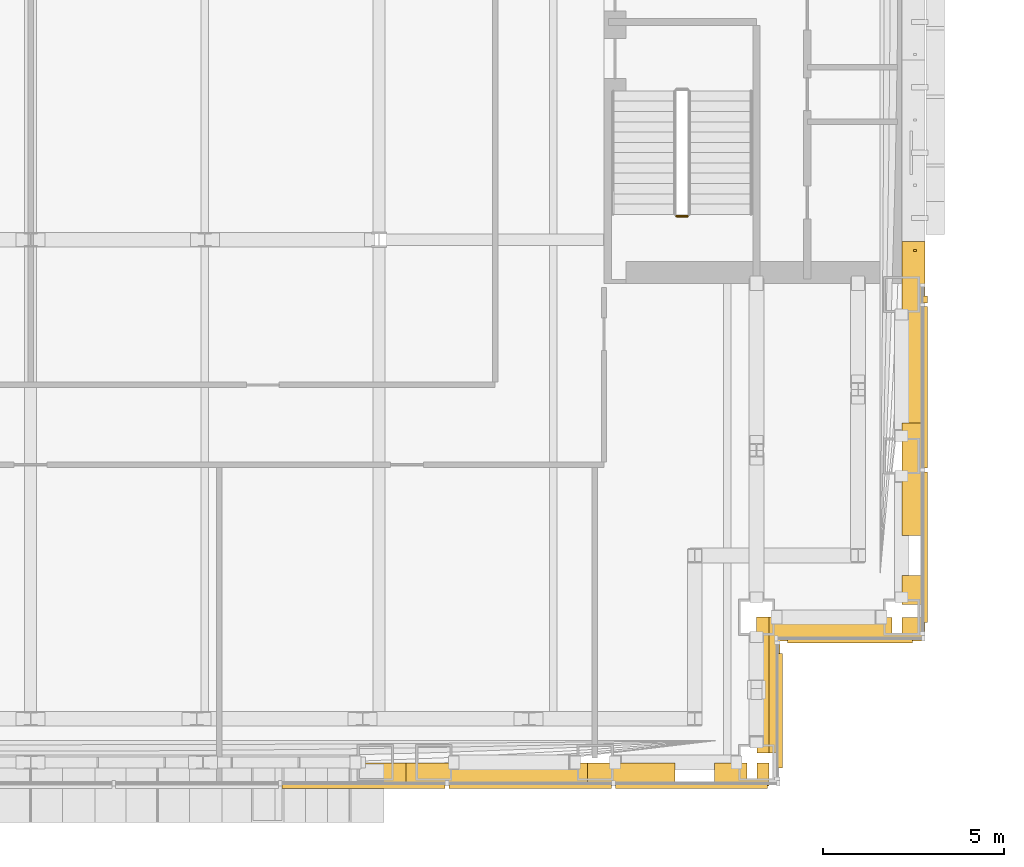
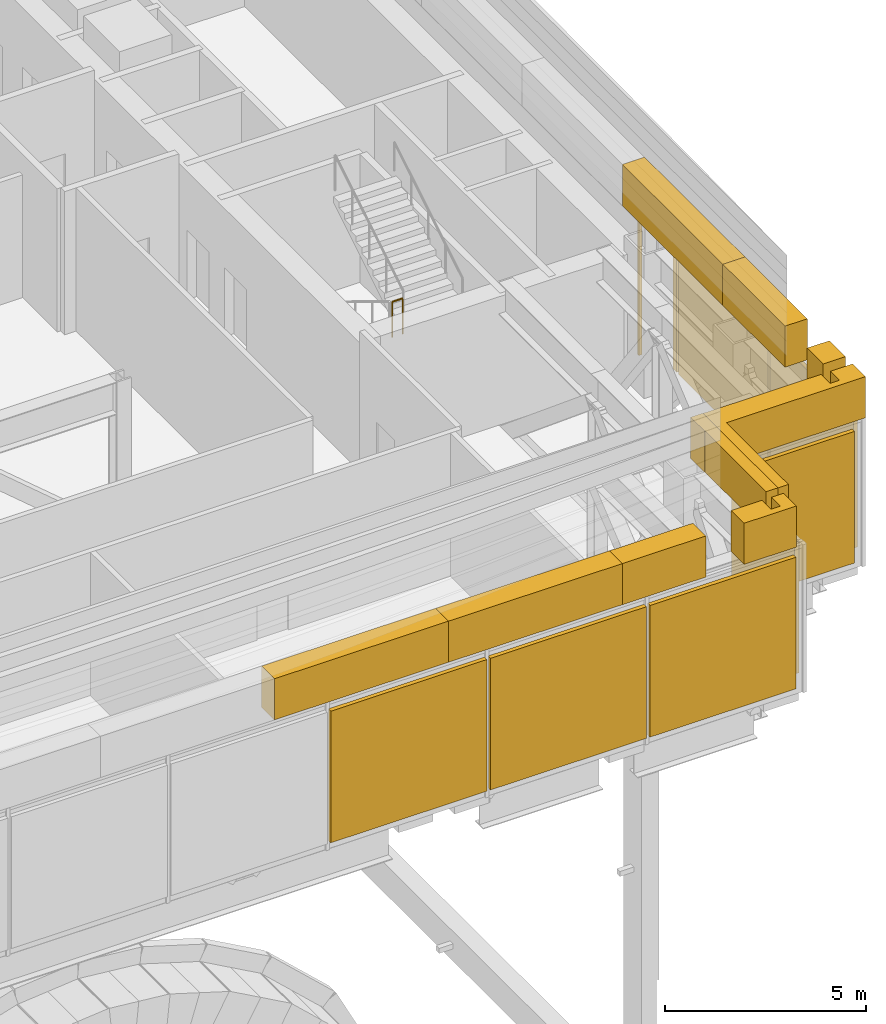
# One storey, part 27 of 39: 18 coverings, 1 railing.
"""IFC4 building model written with IfcOpenShell, lengths in metres."""

from ifc_helpers import new_model, si_unit, direction, frame, origin, origin_2d, place, context, subcontext, project, spatial, polyline, rectangle, circle, outline, extrude, material, type_object, element, save


model = new_model("IFC4")

# Units and contexts
model_context = context("Model", 3, precision=1e-05, world=origin(), true_north=direction((0.0, 1.0)))
body_context = subcontext(model_context, "Body", "Model", "MODEL_VIEW")
ifc_project = project(units=[si_unit("LENGTHUNIT", "METRE"), si_unit("AREAUNIT", "SQUARE_METRE"), si_unit("VOLUMEUNIT", "CUBIC_METRE"), si_unit("PLANEANGLEUNIT", "RADIAN"), si_unit("MASSUNIT", "GRAM", prefix="KILO")], contexts=[model_context])

# Site, building, storey
site_placement = place(None, origin())
site = spatial("IfcSite", under=ifc_project, at=site_placement, CompositionType="ELEMENT")
building_placement = place(site_placement, origin())
building = spatial("IfcBuilding", under=site, at=building_placement, Name="Cobrizo Arcos Hotel Tower", CompositionType="ELEMENT")
storey_placement = place(building_placement, frame((0.0, 0.0, 84.5)))
storey = spatial("IfcBuildingStorey", under=building, at=storey_placement, Name="L20", CompositionType="ELEMENT", Elevation=84.5)

# Coverings
ifc_material_1 = material(Name="Aluminium 6063-T6 anodised pale", Category="aluminium")
covering_type_1 = type_object("IfcCoveringType", Name="LF-1 setback skirt", PredefinedType="CLADDING", material=ifc_material_1)
covering_1_placement = place(storey_placement, frame((0.0, 0.0, 4.5)))
element("IfcCovering", 1, at=covering_1_placement, inside=storey, type_object=covering_type_1, Name="Setback skirt L20", PredefinedType="CLADDING", context=body_context, shape_type="SweptSolid", body=[
    extrude(outline(polyline([(10.35009765625, -24.010009765625), (5.35009765625, -24.010009765625), (5.35009765625, -24.64990234375), (10.35009765625, -24.64990234375), (10.35009765625, -24.010009765625)])), origin(), (0.0, 0.0, 1.0), 1.25),
])
covering_2_placement = place(storey_placement, frame((0.0, 0.0, 4.5)))
element("IfcCovering", 2, at=covering_2_placement, inside=storey, type_object=covering_type_1, Name="Setback skirt L20", PredefinedType="CLADDING", context=body_context, shape_type="SweptSolid", body=[
    extrude(outline(polyline([(15.35009765625, -24.010009765625), (10.35009765625, -24.010009765625), (10.35009765625, -24.64990234375), (15.35009765625, -24.64990234375), (15.35009765625, -24.010009765625)])), origin(), (0.0, 0.0, 1.0), 1.25),
])
covering_3_placement = place(storey_placement, frame((0.0, 0.0, 4.5)))
element("IfcCovering", 3, at=covering_3_placement, inside=storey, type_object=covering_type_1, Name="Setback skirt L20", PredefinedType="CLADDING", context=body_context, shape_type="SweptSolid", body=[
    extrude(outline(polyline([(20.0, -20.0), (20.0, -20.68310546875), (20.00830078125, -20.6943359375), (20.0087890625, -20.6953125), (20.00927734375, -20.6962890625), (20.009521484375, -20.697021484375), (20.009765625, -20.697998046875), (20.010009765625, -20.698974609375), (20.010009765625, -20.699951171875), (20.010009765625, -23.739990234375), (20.35009765625, -23.739990234375), (20.35009765625, -20.0), (20.0, -20.0)])), origin(), (0.0, 0.0, 1.0), 1.25),
])
covering_4_placement = place(storey_placement, frame((0.0, 0.0, 4.5)))
element("IfcCovering", 4, at=covering_4_placement, inside=storey, type_object=covering_type_1, Name="Setback skirt L20", PredefinedType="CLADDING", context=body_context, shape_type="SweptSolid", body=[
    extrude(outline(polyline([(18.85009765625, -24.010009765625), (18.85009765625, -24.64990234375), (20.35009765625, -24.64990234375), (20.35009765625, -24.010009765625), (20.010009765625, -24.010009765625), (20.010009765625, -24.449951171875), (20.010009765625, -24.450927734375), (20.009765625, -24.451904296875), (20.009521484375, -24.452880859375), (20.00927734375, -24.453857421875), (20.0087890625, -24.45458984375), (20.00830078125, -24.45556640625), (20.0078125, -24.456298828125), (20.007080078125, -24.45703125), (20.00634765625, -24.457763671875), (20.005615234375, -24.458251953125), (20.004638671875, -24.458740234375), (20.00390625, -24.459228515625), (20.0029296875, -24.459716796875), (20.001953125, -24.459716796875), (20.0009765625, -24.4599609375), (20.0, -24.4599609375), (19.75, -24.4599609375), (19.7490234375, -24.4599609375), (19.748046875, -24.459716796875), (19.7470703125, -24.459716796875), (19.74609375, -24.459228515625), (19.745361328125, -24.458740234375), (19.744384765625, -24.458251953125), (19.74365234375, -24.457763671875), (19.742919921875, -24.45703125), (19.7421875, -24.456298828125), (19.74169921875, -24.45556640625), (19.7412109375, -24.45458984375), (19.74072265625, -24.453857421875), (19.740478515625, -24.452880859375), (19.740234375, -24.451904296875), (19.739990234375, -24.450927734375), (19.739990234375, -24.449951171875), (19.739990234375, -24.010009765625), (18.85009765625, -24.010009765625)])), origin(), (0.0, 0.0, 1.0), 1.25),
])
covering_5_placement = place(storey_placement, frame((0.0, 0.0, 4.5)))
element("IfcCovering", 5, at=covering_5_placement, inside=storey, type_object=covering_type_1, Name="Setback skirt L20", PredefinedType="CLADDING", context=body_context, shape_type="SweptSolid", body=[
    extrude(outline(polyline([(17.75, -24.010009765625), (15.35009765625, -24.010009765625), (15.35009765625, -24.64990234375), (17.75, -24.64990234375), (17.75, -24.010009765625)])), origin(), (0.0, 0.0, 1.0), 1.25),
])
covering_6_placement = place(storey_placement, frame((0.0, 0.0, 4.5)))
element("IfcCovering", 6, at=covering_6_placement, inside=storey, type_object=covering_type_1, Name="Setback skirt L20", PredefinedType="CLADDING", context=body_context, shape_type="SweptSolid", body=[
    extrude(outline(polyline([(20.43310546875, -20.0), (20.35009765625, -20.0), (20.35009765625, -23.739990234375), (20.64990234375, -23.739990234375), (20.64990234375, -20.64990234375), (24.64990234375, -20.64990234375), (24.64990234375, -20.010009765625), (24.010009765625, -20.010009765625), (24.010009765625, -20.449951171875), (24.010009765625, -20.450927734375), (24.009765625, -20.451904296875), (24.009521484375, -20.452880859375), (24.00927734375, -20.453857421875), (24.0087890625, -20.45458984375), (24.00830078125, -20.45556640625), (24.0078125, -20.456298828125), (24.007080078125, -20.45703125), (24.00634765625, -20.457763671875), (24.005615234375, -20.458251953125), (24.004638671875, -20.458740234375), (24.00390625, -20.459228515625), (24.0029296875, -20.459716796875), (24.001953125, -20.459716796875), (24.0009765625, -20.4599609375), (24.0, -20.4599609375), (23.75, -20.4599609375), (23.7490234375, -20.4599609375), (23.748046875, -20.459716796875), (23.7470703125, -20.459716796875), (23.74609375, -20.459228515625), (23.745361328125, -20.458740234375), (23.744384765625, -20.458251953125), (23.74365234375, -20.457763671875), (23.742919921875, -20.45703125), (23.7421875, -20.456298828125), (23.74169921875, -20.45556640625), (23.7412109375, -20.45458984375), (23.74072265625, -20.453857421875), (23.740478515625, -20.452880859375), (23.740234375, -20.451904296875), (23.739990234375, -20.450927734375), (23.739990234375, -20.449951171875), (23.739990234375, -20.010009765625), (20.449951171875, -20.010009765625), (20.448974609375, -20.010009765625), (20.447998046875, -20.009765625), (20.447021484375, -20.009521484375), (20.4462890625, -20.00927734375), (20.4453125, -20.0087890625), (20.4443359375, -20.00830078125), (20.43310546875, -20.0)])), origin(), (0.0, 0.0, 1.0), 1.25),
])
covering_7_placement = place(storey_placement, frame((0.0, 0.0, 4.5)))
element("IfcCovering", 7, at=covering_7_placement, inside=storey, type_object=covering_type_1, Name="Setback skirt L20", PredefinedType="CLADDING", context=body_context, shape_type="SweptSolid", body=[
    extrude(outline(polyline([(24.010009765625, -18.85009765625), (24.010009765625, -19.64990234375), (24.64990234375, -19.64990234375), (24.64990234375, -18.85009765625), (24.010009765625, -18.85009765625)])), origin(), (0.0, 0.0, 1.0), 1.25),
])
covering_8_placement = place(storey_placement, frame((0.0, 0.0, 4.5)))
element("IfcCovering", 8, at=covering_8_placement, inside=storey, type_object=covering_type_1, Name="Setback skirt L20", PredefinedType="CLADDING", context=body_context, shape_type="SweptSolid", body=[
    extrude(outline(polyline([(24.64990234375, -17.75), (24.64990234375, -14.64990234375), (24.010009765625, -14.64990234375), (24.010009765625, -17.75), (24.64990234375, -17.75)])), origin(), (0.0, 0.0, 1.0), 1.25),
])
covering_9_placement = place(storey_placement, frame((0.0, 0.0, 4.5)))
element("IfcCovering", 9, at=covering_9_placement, inside=storey, type_object=covering_type_1, Name="Setback skirt L20", PredefinedType="CLADDING", context=body_context, shape_type="SweptSolid", body=[
    extrude(outline(polyline([(24.64990234375, -14.64990234375), (24.64990234375, -9.64990234375), (24.010009765625, -9.64990234375), (24.010009765625, -14.64990234375), (24.64990234375, -14.64990234375)])), origin(), (0.0, 0.0, 1.0), 1.25),
])
ifc_material_2 = material(Name="Aluminium 6063-T6 anodised bronze", Category="aluminium")
covering_type_2 = type_object("IfcCoveringType", Name="LV-1 plant louvre band", PredefinedType="CLADDING", material=ifc_material_2)
for number, where, z_axis, x_axis, name in (
    (10, (9.177734375, -24.655029296875, 0.25), (0.0, 0.0, 1.0), (1.0, 0.0, 0.0), "louvre band 819"),
    (11, (13.7666015625, -24.655029296875, 0.25), (0.0, 0.0, 1.0), (1.0, 0.0, 0.0), "louvre band 820"),
):
    element("IfcCovering", number, at=place(storey_placement, frame(where, z_axis=z_axis, x_axis=x_axis)), inside=storey, type_object=covering_type_2, Name=name, PredefinedType="CLADDING", context=body_context, shape_type="SweptSolid", body=[
        extrude(rectangle(XDim=4.48876953125, YDim=0.1201171875, at=origin_2d()), origin(), (0.0, 0.0, 1.0), 4.0),
    ])
covering_10_placement = place(storey_placement, frame((18.20556640625, -24.655029296875, 0.25), z_axis=(0.0, 0.0, 1.0), x_axis=(1.0, 0.0, 0.0)))
element("IfcCovering", 12, at=covering_10_placement, inside=storey, type_object=covering_type_2, Name="louvre band 821", PredefinedType="CLADDING", context=body_context, shape_type="SweptSolid", body=[
    extrude(rectangle(XDim=4.18896484375, YDim=0.1201171875, at=origin_2d()), origin(), (0.0, 0.0, 1.0), 4.0),
])
covering_11_placement = place(storey_placement, frame((20.655029296875, -22.574951171875, 0.25), z_axis=(0.0, 0.0, 1.0), x_axis=(0.0, 1.0, 0.0)))
element("IfcCovering", 13, at=covering_11_placement, inside=storey, type_object=covering_type_2, Name="louvre band 822", PredefinedType="CLADDING", context=body_context, shape_type="SweptSolid", body=[
    extrude(rectangle(XDim=3.14990234375, YDim=0.1201171875, at=origin_2d()), origin(), (0.0, 0.0, 1.0), 4.0),
])
covering_12_placement = place(storey_placement, frame((22.574951171875, -20.655029296875, 0.25), z_axis=(0.0, 0.0, 1.0), x_axis=(1.0, 0.0, 0.0)))
element("IfcCovering", 14, at=covering_12_placement, inside=storey, type_object=covering_type_2, Name="louvre band 823", PredefinedType="CLADDING", context=body_context, shape_type="SweptSolid", body=[
    extrude(rectangle(XDim=3.449951171875, YDim=0.1201171875, at=origin_2d()), origin(), (0.0, 0.0, 1.0), 4.0),
])
covering_13_placement = place(storey_placement, frame((24.655029296875, -18.072265625, 0.25), z_axis=(0.0, 0.0, 1.0), x_axis=(0.0, 1.0, 0.0)))
element("IfcCovering", 15, at=covering_13_placement, inside=storey, type_object=covering_type_2, Name="louvre band 824", PredefinedType="CLADDING", context=body_context, shape_type="SweptSolid", body=[
    extrude(rectangle(XDim=4.155517578125, YDim=0.1201171875, at=origin_2d()), origin(), (0.0, 0.0, 1.0), 4.0),
])
covering_14_placement = place(storey_placement, frame((24.655029296875, -13.666748046875, 0.25), z_axis=(0.0, 0.0, 1.0), x_axis=(0.0, 1.0, 0.0)))
element("IfcCovering", 16, at=covering_14_placement, inside=storey, type_object=covering_type_2, Name="louvre band 825", PredefinedType="CLADDING", context=body_context, shape_type="SweptSolid", body=[
    extrude(rectangle(XDim=4.45556640625, YDim=0.1201171875, at=origin_2d()), origin(), (0.0, 0.0, 1.0), 4.0),
])
covering_15_placement = place(storey_placement, frame((24.655029296875, -11.244384765625, 0.25), z_axis=(0.0, 0.0, 1.0), x_axis=(0.0, 1.0, 0.0)))
element("IfcCovering", 17, at=covering_15_placement, inside=storey, type_object=covering_type_2, Name="louvre band 826", PredefinedType="CLADDING", context=body_context, shape_type="SweptSolid", body=[
    extrude(rectangle(XDim=0.18896484375, YDim=0.1201171875, at=origin_2d()), origin(), (0.0, 0.0, 1.0), 4.0),
])
covering_type_3 = type_object("IfcCoveringType", Name="RS-1 rainscreen rib 60x90", PredefinedType="CLADDING", material=ifc_material_1)
covering_16_placement = place(storey_placement, frame((24.3701171875, -9.89990234375, 0.0), z_axis=(0.0, 0.0, 1.0), x_axis=(0.0, 1.0, 0.0)))
element("IfcCovering", 18, at=covering_16_placement, inside=storey, type_object=covering_type_3, Name="Rainscreen rib 21", PredefinedType="CLADDING", context=body_context, shape_type="SweptSolid", body=[
    extrude(rectangle(XDim=0.06005859375, YDim=0.090087890625, at=origin_2d()), origin(), (0.0, 0.0, 1.0), 4.5),
])

# Railing
ifc_material_3 = material(Name="Stainless steel railing", Category="steel")
railing_type = type_object("IfcRailingType", Name="Stair guard 1100", PredefinedType="GUARDRAIL", material=ifc_material_3)
railing_placement = place(storey_placement, frame((17.800048828125, -8.949951171875, 2.25)))
element("IfcRailing", 19, at=railing_placement, inside=storey, type_object=railing_type, Name="L20 ST-E stair guard 2", PredefinedType="GUARDRAIL", context=body_context, shape_type="SweptSolid", body=[
    extrude(circle(Radius=0.02392578125, at=origin_2d()), frame((0.0, 0.0, 1.076171875), z_axis=(1.0, 0.0, 0.0), x_axis=(0.0, 1.0, 0.0)), (0.0, 0.0, 1.0), 0.300048828125),
    extrude(circle(Radius=0.02099609375, at=origin_2d()), origin(), (0.0, 0.0, 1.0), 1.052001953125),
    extrude(circle(Radius=0.02099609375, at=origin_2d()), frame((0.300048828125, 0.0, 0.0)), (0.0, 0.0, 1.0), 1.052001953125),
])

save(model, "model.ifc")
